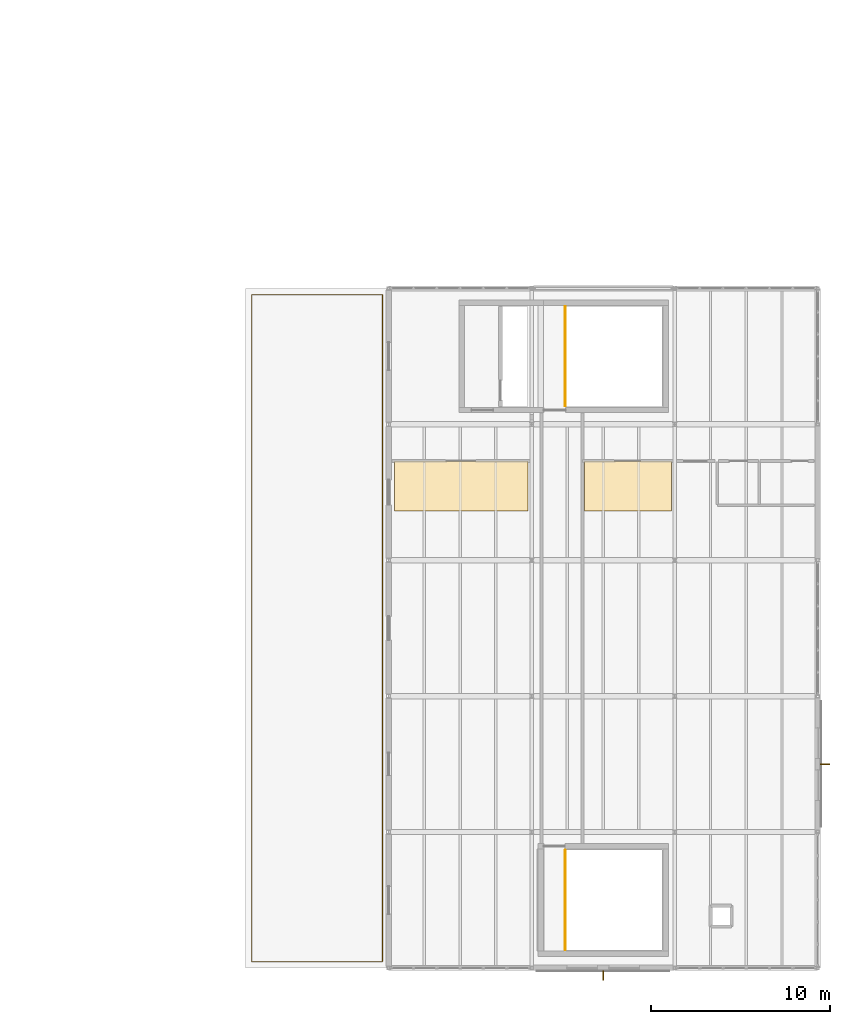
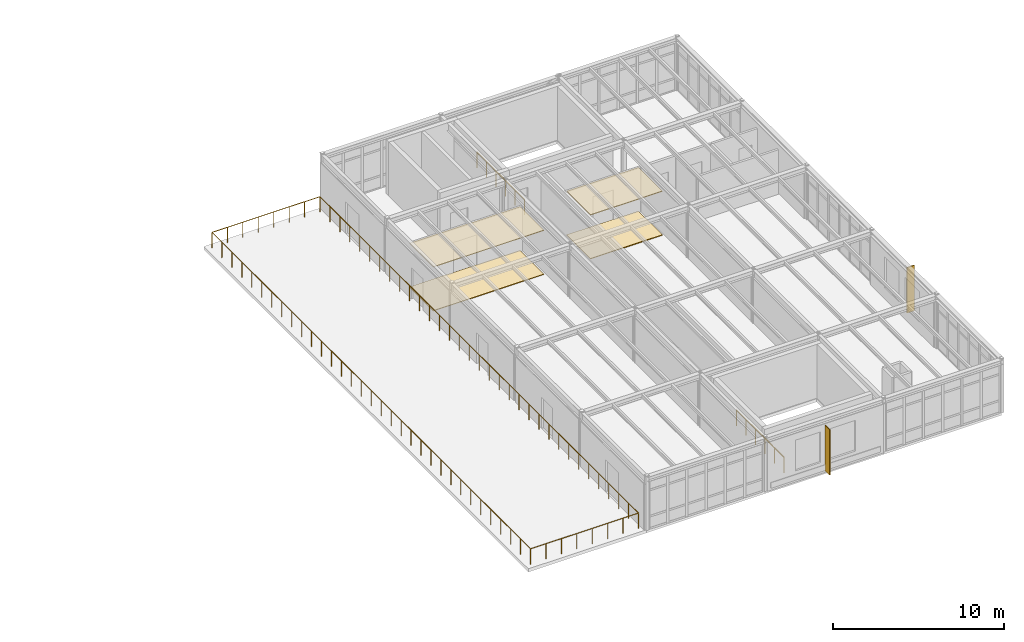
# One storey, part 64 of 65: 4 coverings, 3 railings, 2 shading devices.
"""IFC4 building model written with IfcOpenShell, lengths in metres."""

from ifc_helpers import new_model, si_unit, direction, frame, origin, origin_2d, place, context, subcontext, project, spatial, polyline, rectangle, circle, outline, extrude, material, layer, layer_set, type_object, element, save


model = new_model("IFC4")

# Units and contexts
model_context = context("Model", 3, precision=1e-05, world=origin(), true_north=direction((0.0, 1.0)))
body_context = subcontext(model_context, "Body", "Model", "MODEL_VIEW")
ifc_project = project(units=[si_unit("LENGTHUNIT", "METRE"), si_unit("AREAUNIT", "SQUARE_METRE"), si_unit("VOLUMEUNIT", "CUBIC_METRE"), si_unit("PLANEANGLEUNIT", "RADIAN"), si_unit("MASSUNIT", "GRAM", prefix="KILO")], contexts=[model_context])

# Site, building, storey
site_placement = place(None, origin())
site = spatial("IfcSite", under=ifc_project, at=site_placement, CompositionType="ELEMENT")
building_placement = place(site_placement, origin())
building = spatial("IfcBuilding", under=site, at=building_placement, Name="Montecoro Central Library", CompositionType="ELEMENT")
storey_placement = place(building_placement, frame((0.0, 0.0, 17.340087890625)))
storey = spatial("IfcBuildingStorey", under=building, at=storey_placement, Name="L04", CompositionType="ELEMENT", Elevation=17.340087890625)

# Coverings
ifc_material_1 = material(Name="Acoustic perforated mineral ceiling")
ifc_layer_1 = layer(ifc_material_1, 0.0400390625)
ifc_layer_set_1 = layer_set([ifc_layer_1], Name="Acoustic perforated mineral ceiling")
covering_type_1 = type_object("IfcCoveringType", Name="COV-CLG-03", PredefinedType="CEILING", material=ifc_layer_set_1)
covering_1_placement = place(storey_placement, frame((0.0, 0.0, 3.139892578125)))
element("IfcCovering", 1, at=covering_1_placement, inside=storey, type_object=covering_type_1, Name="CLG-SP-V6-L04-R1P1", PredefinedType="CEILING", context=body_context, shape_type="SweptSolid", body=[
    extrude(outline(polyline([(149.320068359375, 30.550048828125), (156.81005859375, 30.550048828125), (156.81005859375, 33.35009765625), (149.320068359375, 33.35009765625), (149.320068359375, 30.550048828125)])), origin(), (0.0, 0.0, 1.0), 0.0400390625),
])
ifc_layer_2 = layer(ifc_material_1, 0.048095703125)
ifc_layer_set_2 = layer_set([ifc_layer_2], Name="Acoustic perforated mineral ceiling")
covering_type_2 = type_object("IfcCoveringType", Name="COV-CLG-04", PredefinedType="CEILING", material=ifc_layer_set_2)
covering_2_placement = place(storey_placement, frame((0.0, 0.0, 3.1318359375)))
element("IfcCovering", 2, at=covering_2_placement, inside=storey, type_object=covering_type_2, Name="CLG-SP-V6-L04-R2P1", PredefinedType="CEILING", context=body_context, shape_type="SweptSolid", body=[
    extrude(outline(polyline([(159.949951171875, 30.550048828125), (164.81005859375, 30.550048828125), (164.81005859375, 33.35009765625), (159.949951171875, 33.35009765625), (159.949951171875, 30.550048828125)])), origin(), (0.0, 0.0, 1.0), 0.048095703125),
])
ifc_material_2 = material(Name="Neapolitan brass-inlaid terrazzo flooring")
ifc_layer_3 = layer(ifc_material_2, 0.0439453125)
ifc_layer_set_3 = layer_set([ifc_layer_3], Name="Neapolitan brass-inlaid terrazzo flooring")
covering_type_3 = type_object("IfcCoveringType", Name="COV-FLR-03", PredefinedType="FLOORING", material=ifc_layer_set_3)
covering_3_placement = place(storey_placement, origin())
element("IfcCovering", 3, at=covering_3_placement, inside=storey, type_object=covering_type_3, Name="FLR-SP-V6-L04-R1P1", PredefinedType="FLOORING", context=body_context, shape_type="SweptSolid", body=[
    extrude(outline(polyline([(149.320068359375, 30.550048828125), (156.81005859375, 30.550048828125), (156.81005859375, 33.35009765625), (149.320068359375, 33.35009765625), (149.320068359375, 30.550048828125)])), origin(), (0.0, 0.0, 1.0), 0.0439453125),
])
ifc_layer_4 = layer(ifc_material_2, 0.052001953125)
ifc_layer_set_4 = layer_set([ifc_layer_4], Name="Neapolitan brass-inlaid terrazzo flooring")
covering_type_4 = type_object("IfcCoveringType", Name="COV-FLR-04", PredefinedType="FLOORING", material=ifc_layer_set_4)
covering_4_placement = place(storey_placement, origin())
element("IfcCovering", 4, at=covering_4_placement, inside=storey, type_object=covering_type_4, Name="FLR-SP-V6-L04-R2P1", PredefinedType="FLOORING", context=body_context, shape_type="SweptSolid", body=[
    extrude(outline(polyline([(159.949951171875, 30.550048828125), (164.81005859375, 30.550048828125), (164.81005859375, 33.35009765625), (159.949951171875, 33.35009765625), (159.949951171875, 30.550048828125)])), origin(), (0.0, 0.0, 1.0), 0.052001953125),
])

# Railings
ifc_material_3 = material(Name="Architectural bronze and laminated safety balustrade", Category="aluminium")
railing_type_1 = type_object("IfcRailingType", Name="GRD-EXT-110", PredefinedType="GUARDRAIL", material=ifc_material_3)
railing_placement = place(storey_placement, frame((141.35009765625, 5.35009765625, 0.0)))
element("IfcRailing", 5, at=railing_placement, inside=storey, type_object=railing_type_1, Name="V6-L04-TGRD-1", PredefinedType="GUARDRAIL", context=body_context, shape_type="SweptSolid", body=[
    extrude(circle(Radius=0.02392578125, at=origin_2d()), frame((0.0, 0.0, 1.09619140625), z_axis=(1.0, 0.0, 0.0), x_axis=(0.0, 1.0, 0.0)), (0.0, 0.0, 1.0), 7.2998046875),
    extrude(circle(Radius=0.02392578125, at=origin_2d()), frame((7.2998046875, 0.0, 1.09619140625), z_axis=(0.0, 1.0, 0.0), x_axis=(-1.0, 0.0, 0.0)), (0.0, 0.0, 1.0), 37.2998046875),
    extrude(circle(Radius=0.02392578125, at=origin_2d()), frame((7.2998046875, 37.2998046875, 1.09619140625), z_axis=(-1.0, 0.0, 0.0), x_axis=(0.0, -1.0, 0.0)), (0.0, 0.0, 1.0), 7.2998046875),
    extrude(circle(Radius=0.02392578125, at=origin_2d()), frame((0.0, 37.2998046875, 1.09619140625), z_axis=(0.0, -1.0, 0.0), x_axis=(1.0, 0.0, 0.0)), (0.0, 0.0, 1.0), 37.2998046875),
    extrude(circle(Radius=0.02099609375, at=origin_2d()), origin(), (0.0, 0.0, 1.0), 1.072021484375),
    extrude(circle(Radius=0.02099609375, at=origin_2d()), frame((1.042724609375, 0.0, 0.0)), (0.0, 0.0, 1.0), 1.072021484375),
    extrude(circle(Radius=0.02099609375, at=origin_2d()), frame((2.085693359375, 0.0, 0.0)), (0.0, 0.0, 1.0), 1.072021484375),
    extrude(circle(Radius=0.02099609375, at=origin_2d()), frame((3.12841796875, 0.0, 0.0)), (0.0, 0.0, 1.0), 1.072021484375),
    extrude(circle(Radius=0.02099609375, at=origin_2d()), frame((4.17138671875, 0.0, 0.0)), (0.0, 0.0, 1.0), 1.072021484375),
    extrude(circle(Radius=0.02099609375, at=origin_2d()), frame((5.214111328125, 0.0, 0.0)), (0.0, 0.0, 1.0), 1.072021484375),
    extrude(circle(Radius=0.02099609375, at=origin_2d()), frame((6.257080078125, 0.0, 0.0)), (0.0, 0.0, 1.0), 1.072021484375),
    extrude(circle(Radius=0.02099609375, at=origin_2d()), frame((7.2998046875, 0.0, 0.0)), (0.0, 0.0, 1.0), 1.072021484375),
    extrude(circle(Radius=0.02099609375, at=origin_2d()), frame((7.2998046875, 1.16552734375, 0.0)), (0.0, 0.0, 1.0), 1.072021484375),
    extrude(circle(Radius=0.02099609375, at=origin_2d()), frame((7.2998046875, 2.331298828125, 0.0)), (0.0, 0.0, 1.0), 1.072021484375),
    extrude(circle(Radius=0.02099609375, at=origin_2d()), frame((7.2998046875, 3.496826171875, 0.0)), (0.0, 0.0, 1.0), 1.072021484375),
    extrude(circle(Radius=0.02099609375, at=origin_2d()), frame((7.2998046875, 4.66259765625, 0.0)), (0.0, 0.0, 1.0), 1.072021484375),
    extrude(circle(Radius=0.02099609375, at=origin_2d()), frame((7.2998046875, 5.828125, 0.0)), (0.0, 0.0, 1.0), 1.072021484375),
    extrude(circle(Radius=0.02099609375, at=origin_2d()), frame((7.2998046875, 6.99365234375, 0.0)), (0.0, 0.0, 1.0), 1.072021484375),
    extrude(circle(Radius=0.02099609375, at=origin_2d()), frame((7.2998046875, 8.159423828125, 0.0)), (0.0, 0.0, 1.0), 1.072021484375),
    extrude(circle(Radius=0.02099609375, at=origin_2d()), frame((7.2998046875, 9.324951171875, 0.0)), (0.0, 0.0, 1.0), 1.072021484375),
    extrude(circle(Radius=0.02099609375, at=origin_2d()), frame((7.2998046875, 10.490478515625, 0.0)), (0.0, 0.0, 1.0), 1.072021484375),
    extrude(circle(Radius=0.02099609375, at=origin_2d()), frame((7.2998046875, 11.65625, 0.0)), (0.0, 0.0, 1.0), 1.072021484375),
    extrude(circle(Radius=0.02099609375, at=origin_2d()), frame((7.2998046875, 12.82177734375, 0.0)), (0.0, 0.0, 1.0), 1.072021484375),
    extrude(circle(Radius=0.02099609375, at=origin_2d()), frame((7.2998046875, 13.9873046875, 0.0)), (0.0, 0.0, 1.0), 1.072021484375),
    extrude(circle(Radius=0.02099609375, at=origin_2d()), frame((7.2998046875, 15.153076171875, 0.0)), (0.0, 0.0, 1.0), 1.072021484375),
    extrude(circle(Radius=0.02099609375, at=origin_2d()), frame((7.2998046875, 16.318603515625, 0.0)), (0.0, 0.0, 1.0), 1.072021484375),
    extrude(circle(Radius=0.02099609375, at=origin_2d()), frame((7.2998046875, 17.484375, 0.0)), (0.0, 0.0, 1.0), 1.072021484375),
    extrude(circle(Radius=0.02099609375, at=origin_2d()), frame((7.2998046875, 18.64990234375, 0.0)), (0.0, 0.0, 1.0), 1.072021484375),
    extrude(circle(Radius=0.02099609375, at=origin_2d()), frame((7.2998046875, 19.8154296875, 0.0)), (0.0, 0.0, 1.0), 1.072021484375),
    extrude(circle(Radius=0.02099609375, at=origin_2d()), frame((7.2998046875, 20.981201171875, 0.0)), (0.0, 0.0, 1.0), 1.072021484375),
    extrude(circle(Radius=0.02099609375, at=origin_2d()), frame((7.2998046875, 22.146728515625, 0.0)), (0.0, 0.0, 1.0), 1.072021484375),
    extrude(circle(Radius=0.02099609375, at=origin_2d()), frame((7.2998046875, 23.3125, 0.0)), (0.0, 0.0, 1.0), 1.072021484375),
    extrude(circle(Radius=0.02099609375, at=origin_2d()), frame((7.2998046875, 24.47802734375, 0.0)), (0.0, 0.0, 1.0), 1.072021484375),
    extrude(circle(Radius=0.02099609375, at=origin_2d()), frame((7.2998046875, 25.6435546875, 0.0)), (0.0, 0.0, 1.0), 1.072021484375),
    extrude(circle(Radius=0.02099609375, at=origin_2d()), frame((7.2998046875, 26.809326171875, 0.0)), (0.0, 0.0, 1.0), 1.072021484375),
    extrude(circle(Radius=0.02099609375, at=origin_2d()), frame((7.2998046875, 27.974853515625, 0.0)), (0.0, 0.0, 1.0), 1.072021484375),
    extrude(circle(Radius=0.02099609375, at=origin_2d()), frame((7.2998046875, 29.140380859375, 0.0)), (0.0, 0.0, 1.0), 1.072021484375),
    extrude(circle(Radius=0.02099609375, at=origin_2d()), frame((7.2998046875, 30.30615234375, 0.0)), (0.0, 0.0, 1.0), 1.072021484375),
    extrude(circle(Radius=0.02099609375, at=origin_2d()), frame((7.2998046875, 31.4716796875, 0.0)), (0.0, 0.0, 1.0), 1.072021484375),
    extrude(circle(Radius=0.02099609375, at=origin_2d()), frame((7.2998046875, 32.63720703125, 0.0)), (0.0, 0.0, 1.0), 1.072021484375),
    extrude(circle(Radius=0.02099609375, at=origin_2d()), frame((7.2998046875, 33.802978515625, 0.0)), (0.0, 0.0, 1.0), 1.072021484375),
    extrude(circle(Radius=0.02099609375, at=origin_2d()), frame((7.2998046875, 34.968505859375, 0.0)), (0.0, 0.0, 1.0), 1.072021484375),
    extrude(circle(Radius=0.02099609375, at=origin_2d()), frame((7.2998046875, 36.13427734375, 0.0)), (0.0, 0.0, 1.0), 1.072021484375),
    extrude(circle(Radius=0.02099609375, at=origin_2d()), frame((7.2998046875, 37.2998046875, 0.0)), (0.0, 0.0, 1.0), 1.072021484375),
    extrude(circle(Radius=0.02099609375, at=origin_2d()), frame((6.257080078125, 37.2998046875, 0.0)), (0.0, 0.0, 1.0), 1.072021484375),
    extrude(circle(Radius=0.02099609375, at=origin_2d()), frame((5.214111328125, 37.2998046875, 0.0)), (0.0, 0.0, 1.0), 1.072021484375),
    extrude(circle(Radius=0.02099609375, at=origin_2d()), frame((4.17138671875, 37.2998046875, 0.0)), (0.0, 0.0, 1.0), 1.072021484375),
    extrude(circle(Radius=0.02099609375, at=origin_2d()), frame((3.12841796875, 37.2998046875, 0.0)), (0.0, 0.0, 1.0), 1.072021484375),
    extrude(circle(Radius=0.02099609375, at=origin_2d()), frame((2.085693359375, 37.2998046875, 0.0)), (0.0, 0.0, 1.0), 1.072021484375),
    extrude(circle(Radius=0.02099609375, at=origin_2d()), frame((1.042724609375, 37.2998046875, 0.0)), (0.0, 0.0, 1.0), 1.072021484375),
    extrude(circle(Radius=0.02099609375, at=origin_2d()), frame((0.0, 37.2998046875, 0.0)), (0.0, 0.0, 1.0), 1.072021484375),
    extrude(circle(Radius=0.02099609375, at=origin_2d()), frame((0.0, 36.13427734375, 0.0)), (0.0, 0.0, 1.0), 1.072021484375),
    extrude(circle(Radius=0.02099609375, at=origin_2d()), frame((0.0, 34.968505859375, 0.0)), (0.0, 0.0, 1.0), 1.072021484375),
    extrude(circle(Radius=0.02099609375, at=origin_2d()), frame((0.0, 33.802978515625, 0.0)), (0.0, 0.0, 1.0), 1.072021484375),
    extrude(circle(Radius=0.02099609375, at=origin_2d()), frame((0.0, 32.63720703125, 0.0)), (0.0, 0.0, 1.0), 1.072021484375),
    extrude(circle(Radius=0.02099609375, at=origin_2d()), frame((0.0, 31.4716796875, 0.0)), (0.0, 0.0, 1.0), 1.072021484375),
    extrude(circle(Radius=0.02099609375, at=origin_2d()), frame((0.0, 30.30615234375, 0.0)), (0.0, 0.0, 1.0), 1.072021484375),
    extrude(circle(Radius=0.02099609375, at=origin_2d()), frame((0.0, 29.140380859375, 0.0)), (0.0, 0.0, 1.0), 1.072021484375),
    extrude(circle(Radius=0.02099609375, at=origin_2d()), frame((0.0, 27.974853515625, 0.0)), (0.0, 0.0, 1.0), 1.072021484375),
    extrude(circle(Radius=0.02099609375, at=origin_2d()), frame((0.0, 26.809326171875, 0.0)), (0.0, 0.0, 1.0), 1.072021484375),
    extrude(circle(Radius=0.02099609375, at=origin_2d()), frame((0.0, 25.6435546875, 0.0)), (0.0, 0.0, 1.0), 1.072021484375),
    extrude(circle(Radius=0.02099609375, at=origin_2d()), frame((0.0, 24.47802734375, 0.0)), (0.0, 0.0, 1.0), 1.072021484375),
    extrude(circle(Radius=0.02099609375, at=origin_2d()), frame((0.0, 23.3125, 0.0)), (0.0, 0.0, 1.0), 1.072021484375),
    extrude(circle(Radius=0.02099609375, at=origin_2d()), frame((0.0, 22.146728515625, 0.0)), (0.0, 0.0, 1.0), 1.072021484375),
    extrude(circle(Radius=0.02099609375, at=origin_2d()), frame((0.0, 20.981201171875, 0.0)), (0.0, 0.0, 1.0), 1.072021484375),
    extrude(circle(Radius=0.02099609375, at=origin_2d()), frame((0.0, 19.8154296875, 0.0)), (0.0, 0.0, 1.0), 1.072021484375),
    extrude(circle(Radius=0.02099609375, at=origin_2d()), frame((0.0, 18.64990234375, 0.0)), (0.0, 0.0, 1.0), 1.072021484375),
    extrude(circle(Radius=0.02099609375, at=origin_2d()), frame((0.0, 17.484375, 0.0)), (0.0, 0.0, 1.0), 1.072021484375),
    extrude(circle(Radius=0.02099609375, at=origin_2d()), frame((0.0, 16.318603515625, 0.0)), (0.0, 0.0, 1.0), 1.072021484375),
    extrude(circle(Radius=0.02099609375, at=origin_2d()), frame((0.0, 15.153076171875, 0.0)), (0.0, 0.0, 1.0), 1.072021484375),
    extrude(circle(Radius=0.02099609375, at=origin_2d()), frame((0.0, 13.9873046875, 0.0)), (0.0, 0.0, 1.0), 1.072021484375),
    extrude(circle(Radius=0.02099609375, at=origin_2d()), frame((0.0, 12.82177734375, 0.0)), (0.0, 0.0, 1.0), 1.072021484375),
    extrude(circle(Radius=0.02099609375, at=origin_2d()), frame((0.0, 11.65625, 0.0)), (0.0, 0.0, 1.0), 1.072021484375),
    extrude(circle(Radius=0.02099609375, at=origin_2d()), frame((0.0, 10.490478515625, 0.0)), (0.0, 0.0, 1.0), 1.072021484375),
    extrude(circle(Radius=0.02099609375, at=origin_2d()), frame((0.0, 9.324951171875, 0.0)), (0.0, 0.0, 1.0), 1.072021484375),
    extrude(circle(Radius=0.02099609375, at=origin_2d()), frame((0.0, 8.159423828125, 0.0)), (0.0, 0.0, 1.0), 1.072021484375),
    extrude(circle(Radius=0.02099609375, at=origin_2d()), frame((0.0, 6.99365234375, 0.0)), (0.0, 0.0, 1.0), 1.072021484375),
    extrude(circle(Radius=0.02099609375, at=origin_2d()), frame((0.0, 5.828125, 0.0)), (0.0, 0.0, 1.0), 1.072021484375),
    extrude(circle(Radius=0.02099609375, at=origin_2d()), frame((0.0, 4.66259765625, 0.0)), (0.0, 0.0, 1.0), 1.072021484375),
    extrude(circle(Radius=0.02099609375, at=origin_2d()), frame((0.0, 3.496826171875, 0.0)), (0.0, 0.0, 1.0), 1.072021484375),
    extrude(circle(Radius=0.02099609375, at=origin_2d()), frame((0.0, 2.331298828125, 0.0)), (0.0, 0.0, 1.0), 1.072021484375),
    extrude(circle(Radius=0.02099609375, at=origin_2d()), frame((0.0, 1.16552734375, 0.0)), (0.0, 0.0, 1.0), 1.072021484375),
])
ifc_material_4 = material(Name="Brushed stainless steel and bronze balustrade", Category="steel")
railing_type_2 = type_object("IfcRailingType", Name="GRD-INT-110", PredefinedType="GUARDRAIL", material=ifc_material_4)
for number, where, name in (
    (6, (158.8798828125, 36.419921875, 0.0), "C7-L04-ELND-GRD"),
    (7, (158.8798828125, 6.02001953125, 0.0), "C10-L04-ELND-GRD"),
):
    element("IfcRailing", number, at=place(storey_placement, frame(where)), inside=storey, type_object=railing_type_2, Name=name, PredefinedType="GUARDRAIL", context=body_context, shape_type="SweptSolid", body=[
        extrude(circle(Radius=0.02392578125, at=origin_2d()), frame((0.0, 0.0, 1.09619140625), z_axis=(0.0, 1.0, 0.0), x_axis=(-1.0, 0.0, 0.0)), (0.0, 0.0, 1.0), 5.56005859375),
        extrude(circle(Radius=0.02099609375, at=origin_2d()), origin(), (0.0, 0.0, 1.0), 1.072021484375),
        extrude(circle(Radius=0.02099609375, at=origin_2d()), frame((0.0, 1.112060546875, 0.0)), (0.0, 0.0, 1.0), 1.072021484375),
        extrude(circle(Radius=0.02099609375, at=origin_2d()), frame((0.0, 2.22412109375, 0.0)), (0.0, 0.0, 1.0), 1.072021484375),
        extrude(circle(Radius=0.02099609375, at=origin_2d()), frame((0.0, 3.3359375, 0.0)), (0.0, 0.0, 1.0), 1.072021484375),
        extrude(circle(Radius=0.02099609375, at=origin_2d()), frame((0.0, 4.447998046875, 0.0)), (0.0, 0.0, 1.0), 1.072021484375),
        extrude(circle(Radius=0.02099609375, at=origin_2d()), frame((0.0, 5.56005859375, 0.0)), (0.0, 0.0, 1.0), 1.072021484375),
    ])

# Shading devices
ifc_material_5 = material(Name="Architectural bronze solar fin", Category="aluminium")
shading_device_type = type_object("IfcShadingDeviceType", Name="SHD-FIN-17", PredefinedType="USERDEFINED", material=ifc_material_5)
for number, where, z_axis, x_axis, name in (
    (8, (161.0, 4.5869140625, 0.114990234375), (0.0, 0.0, 1.0), (1.0, 0.0, 0.0), "V6-L04-FIN-S1"),
    (9, (173.4130859375, 16.39990234375, 0.114990234375), (0.0, 0.0, 1.0), (0.0, 1.0, 0.0), "V6-L04-FIN-E1"),
):
    element("IfcShadingDevice", number, at=place(storey_placement, frame(where, z_axis=z_axis, x_axis=x_axis)), inside=storey, type_object=shading_device_type, Name=name, ObjectType="SOLAR FIN", PredefinedType="USERDEFINED", context=body_context, shape_type="SweptSolid", body=[
        extrude(rectangle(XDim=0.06005859375, YDim=0.52001953125, at=origin_2d()), origin(), (0.0, 0.0, 1.0), 3.25),
    ])

save(model, "model.ifc")
